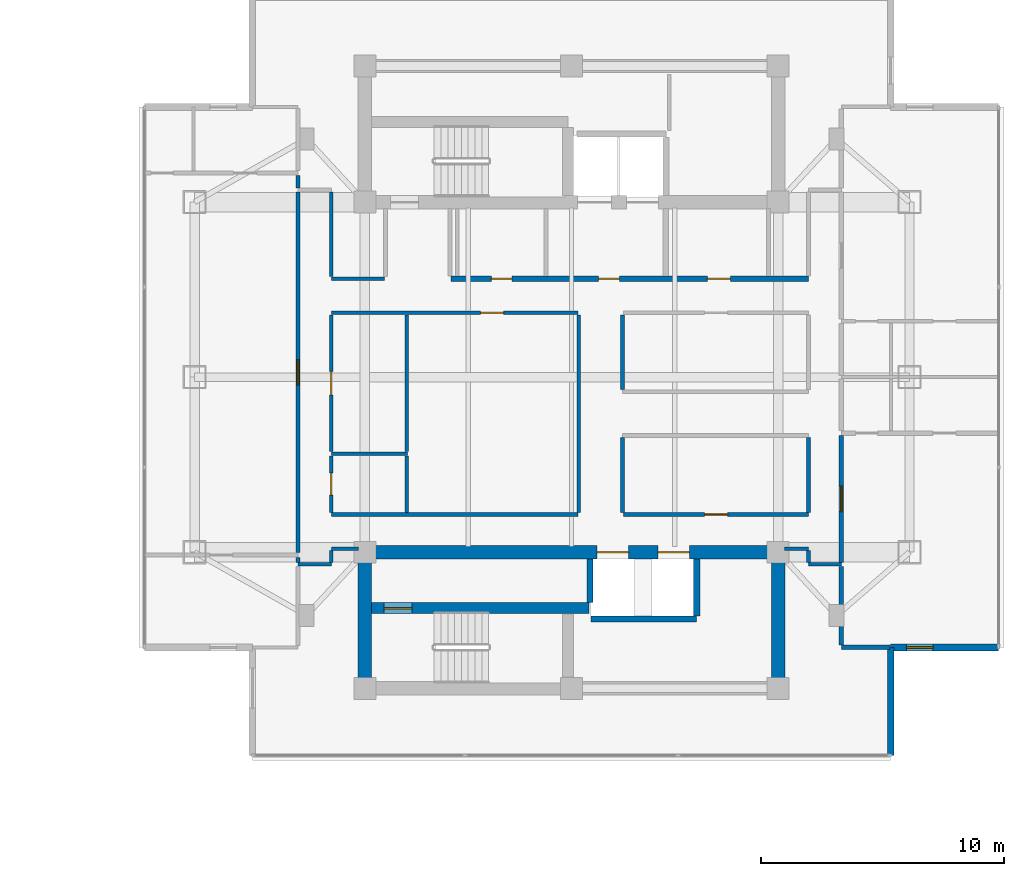
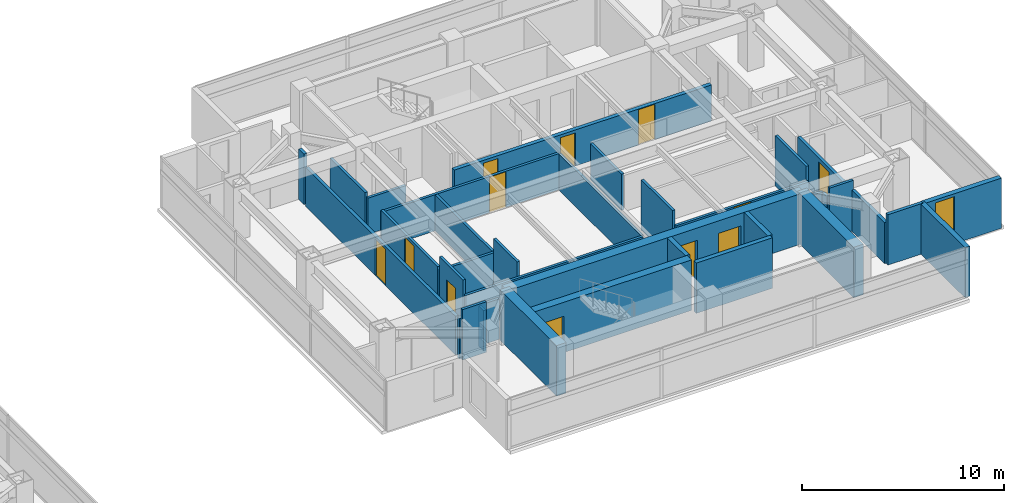
# One storey, part 16 of 24: 36 walls, 12 doors, 1 window, 13 openings.
"""IFC4 building model written with IfcOpenShell, lengths in metres."""

from ifc_helpers import new_model, si_unit, direction, frame, frame_2d, origin, place, context, subcontext, project, spatial, rectangle, extrude, material, layer, layer_set, type_object, element, fill, save


model = new_model("IFC4")

# Units and contexts
model_context = context("Model", 3, precision=1e-05, world=origin(), true_north=direction((0.0, 1.0)))
body_context = subcontext(model_context, "Body", "Model", "MODEL_VIEW")
ifc_project = project(units=[si_unit("LENGTHUNIT", "METRE"), si_unit("AREAUNIT", "SQUARE_METRE"), si_unit("VOLUMEUNIT", "CUBIC_METRE"), si_unit("PLANEANGLEUNIT", "RADIAN"), si_unit("MASSUNIT", "GRAM", prefix="KILO")], contexts=[model_context])

# Site, building, storey
site_placement = place(None, origin())
site = spatial("IfcSite", under=ifc_project, at=site_placement, CompositionType="ELEMENT")
building_placement = place(site_placement, origin())
building = spatial("IfcBuilding", under=site, at=building_placement, Name="Mirazonda Arch Towers", CompositionType="ELEMENT")
storey_placement = place(building_placement, frame((0.0, 0.0, 199.89990234375)))
storey = spatial("IfcBuildingStorey", under=building, at=storey_placement, Name="L57", CompositionType="ELEMENT", Elevation=199.89990234375)

# Wall, opening, door
ifc_material_1 = material(Name="Concrete C50/60", Category="concrete")
ifc_layer_1 = layer(ifc_material_1, 0.449951171875, Name="WALL-CORE-450")
ifc_layer_set_1 = layer_set([ifc_layer_1], Name="Concrete C50/60")
wall_type_1 = type_object("IfcWallType", Name="WALL-CORE-450", PredefinedType="SHEAR", material=ifc_layer_set_1)
wall_1_placement = place(storey_placement, frame((68.27001953125, 18.5, 0.0), z_axis=(0.0, 0.0, 1.0), x_axis=(1.0, 0.0, 0.0)))
wall_1 = element("IfcWall", 1, at=wall_1_placement, inside=storey, type_object=wall_type_1, Name="L57 Stair Core Shear Wall 013", PredefinedType="SHEAR", context=body_context, shape_type="SweptSolid", body=[
    extrude(rectangle(XDim=8.949951171875, YDim=0.449951171875, at=frame_2d((4.47509765625, 0.0))), origin(), (0.0, 0.0, 1.0), 3.050048828125),
])
opening_1_placement = place(wall_1_placement, frame((0.52001953125, 0.0, 0.0)))
opening_1 = element("IfcOpeningElement", 2, at=opening_1_placement, cuts=wall_1, Name="Opening DR-135", PredefinedType="OPENING", context=body_context, shape_type="SweptSolid", body=[
    extrude(rectangle(XDim=1.14990234375, YDim=2.199951171875, at=frame_2d((0.574951171875, 1.10009765625))), frame((0.0, 0.23486328125, 0.0), z_axis=(0.0, -1.0, 0.0), x_axis=(1.0, 0.0, 0.0)), (0.0, 0.0, 1.0), 0.469970703125),
])
ifc_material_2 = material(Name="Architectural Brushed Steel S355", Category="steel")
door_type_1 = type_object("IfcDoorType", Name="DOOR-STAIR-FD90-1150", OperationType="NOTDEFINED", PredefinedType="DOOR", material=ifc_material_2)
door_1_placement = place(opening_1_placement, origin())
door_1 = element("IfcDoor", 3, at=door_1_placement, inside=storey, type_object=door_type_1, Name="L57 East Protected Stair South Door", OperationType="SINGLE_SWING_LEFT", OverallHeight=2.199951171875, OverallWidth=1.14990234375, PredefinedType="DOOR", context=body_context, shape_type="SweptSolid", body=[
    extrude(rectangle(XDim=1.14990234375, YDim=2.199951171875, at=frame_2d((0.574951171875, 1.10009765625))), frame((0.0, 0.02490234375, 0.0), z_axis=(0.0, -1.0, 0.0), x_axis=(1.0, 0.0, 0.0)), (0.0, 0.0, 1.0), 0.050048828125),
])
fill(opening_1, door_1)

# Walls
ifc_layer_2 = layer(ifc_material_1, 0.550048828125, Name="WALL-CORE-550")
ifc_layer_set_2 = layer_set([ifc_layer_2], Name="Concrete C50/60")
wall_type_2 = type_object("IfcWallType", Name="WALL-CORE-550", PredefinedType="SHEAR", material=ifc_layer_set_2)
for number, where, z_axis, x_axis, name in (
    (4, (68.0, 15.199951171875, 0.0), (0.0, 0.0, 1.0), (0.0, 1.0, 0.0), "L57 T2S-W Core Shear Wall"),
    (5, (85.0, 15.199951171875, 0.0), (0.0, 0.0, 1.0), (0.0, 1.0, 0.0), "L57 T2S-E Core Shear Wall"),
):
    element("IfcWall", number, at=place(storey_placement, frame(where, z_axis=z_axis, x_axis=x_axis)), inside=storey, type_object=wall_type_2, Name=name, PredefinedType="SHEAR", context=body_context, shape_type="SweptSolid", body=[
        extrude(rectangle(XDim=5.60009765625, YDim=0.550048828125, at=frame_2d((2.800048828125, 0.0))), origin(), (0.0, 0.0, 1.0), 3.050048828125),
    ])

# Wall, openings, doors
wall_2_placement = place(storey_placement, frame((68.0, 20.800048828125, 0.0), z_axis=(0.0, 0.0, 1.0), x_axis=(1.0, 0.0, 0.0)))
wall_2 = element("IfcWall", 6, at=wall_2_placement, inside=storey, type_object=wall_type_2, Name="L57 T2S-N Core Shear Wall", PredefinedType="SHEAR", context=body_context, shape_type="SweptSolid", body=[
    extrude(rectangle(XDim=17.0, YDim=0.550048828125, at=frame_2d((8.5, 0.0))), origin(), (0.0, 0.0, 1.0), 3.050048828125),
])
opening_2_placement = place(wall_2_placement, frame((9.550048828125, 0.0, 0.0)))
opening_2 = element("IfcOpeningElement", 7, at=opening_2_placement, cuts=wall_2, Name="Opening LD-111", PredefinedType="OPENING", context=body_context, shape_type="SweptSolid", body=[
    extrude(rectangle(XDim=1.300048828125, YDim=2.300048828125, at=frame_2d((0.64990234375, 1.14990234375))), frame((0.0, 0.284912109375, 0.0), z_axis=(0.0, -1.0, 0.0), x_axis=(1.0, 0.0, 0.0)), (0.0, 0.0, 1.0), 0.570068359375),
])
opening_3_placement = place(wall_2_placement, frame((12.050048828125, 0.0, 0.0)))
opening_3 = element("IfcOpeningElement", 8, at=opening_3_placement, cuts=wall_2, Name="Opening LD-111", PredefinedType="OPENING", context=body_context, shape_type="SweptSolid", body=[
    extrude(rectangle(XDim=1.300048828125, YDim=2.300048828125, at=frame_2d((0.64990234375, 1.14990234375))), frame((0.0, 0.284912109375, 0.0), z_axis=(0.0, -1.0, 0.0), x_axis=(1.0, 0.0, 0.0)), (0.0, 0.0, 1.0), 0.570068359375),
])
door_type_2 = type_object("IfcDoorType", Name="DOOR-LIFT-LAND-1300", OperationType="NOTDEFINED", PredefinedType="DOOR", material=ifc_material_2)
door_2_placement = place(opening_2_placement, origin())
door_2 = element("IfcDoor", 9, at=door_2_placement, inside=storey, type_object=door_type_2, Name="L57 Lift Landing Sliding Door PL-T2H1", OperationType="DOUBLE_DOOR_SLIDING", OverallHeight=2.300048828125, OverallWidth=1.300048828125, PredefinedType="DOOR", context=body_context, shape_type="SweptSolid", body=[
    extrude(rectangle(XDim=1.300048828125, YDim=2.300048828125, at=frame_2d((0.64990234375, 1.14990234375))), frame((0.0, 0.02490234375, 0.0), z_axis=(0.0, -1.0, 0.0), x_axis=(1.0, 0.0, 0.0)), (0.0, 0.0, 1.0), 0.050048828125),
])
fill(opening_2, door_2)
door_3_placement = place(opening_3_placement, origin())
door_3 = element("IfcDoor", 10, at=door_3_placement, inside=storey, type_object=door_type_2, Name="L57 Lift Landing Sliding Door PL-T2H2", OperationType="DOUBLE_DOOR_SLIDING", OverallHeight=2.300048828125, OverallWidth=1.300048828125, PredefinedType="DOOR", context=body_context, shape_type="SweptSolid", body=[
    extrude(rectangle(XDim=1.300048828125, YDim=2.300048828125, at=frame_2d((0.64990234375, 1.14990234375))), frame((0.0, 0.02490234375, 0.0), z_axis=(0.0, -1.0, 0.0), x_axis=(1.0, 0.0, 0.0)), (0.0, 0.0, 1.0), 0.050048828125),
])
fill(opening_3, door_3)

# Wall, opening, window
ifc_material_3 = material(Name="Precast Concrete C40/50", Category="concrete")
ifc_layer_3 = layer(ifc_material_3, 0.280029296875, Name="WALL-EXT-WALL-280")
ifc_layer_set_3 = layer_set([ifc_layer_3], Name="Precast Concrete C40/50")
wall_type_3 = type_object("IfcWallType", Name="WALL-EXT-WALL-280", PredefinedType="SOLIDWALL", material=ifc_layer_set_3)
wall_3_placement = place(storey_placement, frame((89.627685546875, 16.884765625, 0.0), z_axis=(0.0, 0.0, 1.0), x_axis=(1.0, 0.0, 0.0)))
wall_3 = element("IfcWall", 11, at=wall_3_placement, inside=storey, type_object=wall_type_3, Name="L57 T2 Corner Notch Return Wall WL-L57-T2-CSE1", PredefinedType="SOLIDWALL", context=body_context, shape_type="SweptSolid", body=[
    extrude(rectangle(XDim=4.439697265625, YDim=0.280029296875, at=frame_2d((2.2197265625, 0.0))), origin(), (0.0, 0.0, 1.0), 3.030029296875),
])
opening_4_placement = place(wall_3_placement, frame((0.64990234375, 0.0, 0.85009765625)))
opening_4 = element("IfcOpeningElement", 12, at=opening_4_placement, cuts=wall_3, Name="Opening WN-108", PredefinedType="OPENING", context=body_context, shape_type="SweptSolid", body=[
    extrude(rectangle(XDim=1.10009765625, YDim=2.0, at=frame_2d((0.550048828125, 1.0))), frame((0.0, 0.14990234375, 0.0), z_axis=(0.0, -1.0, 0.0), x_axis=(1.0, 0.0, 0.0)), (0.0, 0.0, 1.0), 0.300048828125),
])
ifc_material_4 = material(Name="Insulated Low-E Solar Glass", Category="glass")
window_type = type_object("IfcWindowType", Name="WIN-NOTCH-1100x2000", PartitioningType="SINGLE_PANEL", PredefinedType="WINDOW", material=ifc_material_4)
window_placement = place(opening_4_placement, origin())
window = element("IfcWindow", 13, at=window_placement, inside=storey, type_object=window_type, Name="L57 Punched Facade Window WN-L57-T2-CSE1", OverallHeight=2.0, OverallWidth=1.10009765625, PartitioningType="SINGLE_PANEL", PredefinedType="WINDOW", context=body_context, shape_type="SweptSolid", body=[
    extrude(rectangle(XDim=1.10009765625, YDim=2.0, at=frame_2d((0.550048828125, 1.0))), frame((0.0, 0.030029296875, 0.0), z_axis=(0.0, -1.0, 0.0), x_axis=(1.0, 0.0, 0.0)), (0.0, 0.0, 1.0), 0.06005859375),
])
fill(opening_4, window)

# Wall
wall_4_placement = place(storey_placement, frame((89.627685546875, 12.445068359375, 0.0), z_axis=(0.0, 0.0, 1.0), x_axis=(0.0, 1.0, 0.0)))
element("IfcWall", 14, at=wall_4_placement, inside=storey, type_object=wall_type_3, Name="L57 T2 Corner Notch Return Wall WL-L57-T2-CSE2", PredefinedType="SOLIDWALL", context=body_context, shape_type="SweptSolid", body=[
    extrude(rectangle(XDim=4.439697265625, YDim=0.280029296875, at=frame_2d((2.2197265625, 0.0))), origin(), (0.0, 0.0, 1.0), 3.030029296875),
])

# Wall, openings, doors
ifc_material_5 = material(Name="Concrete C40/50", Category="concrete")
ifc_layer_4 = layer(ifc_material_5, 0.219970703125, Name="WALL-FFL-220")
ifc_layer_set_4 = layer_set([ifc_layer_4], Name="Concrete C40/50")
wall_type_4 = type_object("IfcWallType", Name="WALL-FFL-220", PredefinedType="SOLIDWALL", material=ifc_layer_set_4)
wall_5_placement = place(storey_placement, frame((71.550048828125, 32.050048828125, 0.0), z_axis=(0.0, 0.0, 1.0), x_axis=(1.0, 0.0, 0.0)))
wall_5 = element("IfcWall", 15, at=wall_5_placement, inside=storey, type_object=wall_type_4, Name="L57 Interior Partition 038", PredefinedType="SOLIDWALL", context=body_context, shape_type="SweptSolid", body=[
    extrude(rectangle(XDim=14.699951171875, YDim=0.219970703125, at=frame_2d((7.35009765625, 0.0))), origin(), (0.0, 0.0, 1.0), 2.18603515625),
])
opening_5_placement = place(wall_5_placement, frame((6.06494140625, 0.0, 0.0)))
opening_5 = element("IfcOpeningElement", 16, at=opening_5_placement, cuts=wall_5, Name="Opening DR-128", PredefinedType="OPENING", context=body_context, shape_type="SweptSolid", body=[
    extrude(rectangle(XDim=0.85009765625, YDim=2.010009765625, at=frame_2d((0.425048828125, 1.0048828125))), frame((0.0, 0.119873046875, 0.0), z_axis=(0.0, -1.0, 0.0), x_axis=(1.0, 0.0, 0.0)), (0.0, 0.0, 1.0), 0.239990234375),
])
opening_6_placement = place(wall_5_placement, frame((10.534912109375, 0.0, 0.0)))
opening_6 = element("IfcOpeningElement", 17, at=opening_6_placement, cuts=wall_5, Name="Opening DR-104", PredefinedType="OPENING", context=body_context, shape_type="SweptSolid", body=[
    extrude(rectangle(XDim=0.949951171875, YDim=2.14990234375, at=frame_2d((0.47509765625, 1.074951171875))), frame((0.0, 0.119873046875, 0.0), z_axis=(0.0, -1.0, 0.0), x_axis=(1.0, 0.0, 0.0)), (0.0, 0.0, 1.0), 0.239990234375),
])
opening_7_placement = place(wall_5_placement, frame((1.64990234375, 0.0, 0.0)))
opening_7 = element("IfcOpeningElement", 18, at=opening_7_placement, cuts=wall_5, Name="Opening DR-128", PredefinedType="OPENING", context=body_context, shape_type="SweptSolid", body=[
    extrude(rectangle(XDim=0.85009765625, YDim=2.010009765625, at=frame_2d((0.425048828125, 1.0048828125))), frame((0.0, 0.119873046875, 0.0), z_axis=(0.0, -1.0, 0.0), x_axis=(1.0, 0.0, 0.0)), (0.0, 0.0, 1.0), 0.239990234375),
])
door_type_3 = type_object("IfcDoorType", Name="DOOR-RISER-FD60-850", OperationType="NOTDEFINED", PredefinedType="DOOR", material=ifc_material_2)
door_4_placement = place(opening_5_placement, origin())
door_4 = element("IfcDoor", 19, at=door_4_placement, inside=storey, type_object=door_type_3, Name="L57 East Firefighting Lift Lobby Door", OperationType="SINGLE_SWING_RIGHT", OverallHeight=2.010009765625, OverallWidth=0.85009765625, PredefinedType="DOOR", context=body_context, shape_type="SweptSolid", body=[
    extrude(rectangle(XDim=0.85009765625, YDim=2.010009765625, at=frame_2d((0.425048828125, 1.0048828125))), frame((0.0, 0.02490234375, 0.0), z_axis=(0.0, -1.0, 0.0), x_axis=(1.0, 0.0, 0.0)), (0.0, 0.0, 1.0), 0.050048828125),
])
fill(opening_5, door_4)
door_5_placement = place(opening_7_placement, origin())
door_5 = element("IfcDoor", 20, at=door_5_placement, inside=storey, type_object=door_type_3, Name="L57 Tower 2 Housekeeping & Linen Room Door", OperationType="SINGLE_SWING_RIGHT", OverallHeight=2.010009765625, OverallWidth=0.85009765625, PredefinedType="DOOR", context=body_context, shape_type="SweptSolid", body=[
    extrude(rectangle(XDim=0.85009765625, YDim=2.010009765625, at=frame_2d((0.425048828125, 1.0048828125))), frame((0.0, 0.02490234375, 0.0), z_axis=(0.0, -1.0, 0.0), x_axis=(1.0, 0.0, 0.0)), (0.0, 0.0, 1.0), 0.050048828125),
])
fill(opening_7, door_5)
door_type_4 = type_object("IfcDoorType", Name="DOOR-ROOM-950", OperationType="NOTDEFINED", PredefinedType="DOOR", material=ifc_material_2)
door_6_placement = place(opening_6_placement, origin())
door_6 = element("IfcDoor", 21, at=door_6_placement, inside=storey, type_object=door_type_4, Name="L57 East Sky Reading Library Door", OperationType="SINGLE_SWING_LEFT", OverallHeight=2.14990234375, OverallWidth=0.949951171875, PredefinedType="DOOR", context=body_context, shape_type="SweptSolid", body=[
    extrude(rectangle(XDim=0.949951171875, YDim=2.14990234375, at=frame_2d((0.47509765625, 1.074951171875))), frame((0.0, 0.02490234375, 0.0), z_axis=(0.0, -1.0, 0.0), x_axis=(1.0, 0.0, 0.0)), (0.0, 0.0, 1.0), 0.050048828125),
])
fill(opening_6, door_6)

# Walls
ifc_material_6 = material(Name="Fire-Rated Gypsum Stud Partition")
ifc_layer_5 = layer(ifc_material_6, 0.14990234375, Name="WALL-PART-CORR-150")
ifc_layer_set_5 = layer_set([ifc_layer_5], Name="Fire-Rated Gypsum Stud Partition")
wall_type_5 = type_object("IfcWallType", Name="WALL-PART-CORR-150", PredefinedType="PARTITIONING", material=ifc_layer_set_5)
wall_6_placement = place(storey_placement, frame((65.25, 20.300048828125, 0.0), z_axis=(0.0, 0.0, 1.0), x_axis=(1.0, 0.0, 0.0)))
element("IfcWall", 22, at=wall_6_placement, inside=storey, type_object=wall_type_5, Name="L57 Interior Partition 015", PredefinedType="PARTITIONING", context=body_context, shape_type="SweptSolid", body=[
    extrude(rectangle(XDim=1.3701171875, YDim=0.14990234375, at=frame_2d((0.68505859375, 0.0))), origin(), (0.0, 0.0, 1.0), 3.050048828125),
])
wall_7_placement = place(storey_placement, frame((86.25, 20.300048828125, 0.0), z_axis=(0.0, 0.0, 1.0), x_axis=(1.0, 0.0, 0.0)))
element("IfcWall", 23, at=wall_7_placement, inside=storey, type_object=wall_type_5, Name="L57 Interior Partition 016", PredefinedType="PARTITIONING", context=body_context, shape_type="SweptSolid", body=[
    extrude(rectangle(XDim=1.35009765625, YDim=0.14990234375, at=frame_2d((0.675048828125, 0.0))), origin(), (0.0, 0.0, 1.0), 3.050048828125),
])
wall_8_placement = place(storey_placement, frame((66.6201171875, 20.949951171875, 0.0), z_axis=(0.0, 0.0, 1.0), x_axis=(1.0, 0.0, 0.0)))
element("IfcWall", 24, at=wall_8_placement, inside=storey, type_object=wall_type_5, Name="L57 Interior Partition 018", PredefinedType="PARTITIONING", context=body_context, shape_type="SweptSolid", body=[
    extrude(rectangle(XDim=1.10986328125, YDim=0.14990234375, at=frame_2d((0.554931640625, 0.0))), origin(), (0.0, 0.0, 1.0), 2.442138671875),
])
wall_9_placement = place(storey_placement, frame((85.27001953125, 20.949951171875, 0.0), z_axis=(0.0, 0.0, 1.0), x_axis=(1.0, 0.0, 0.0)))
element("IfcWall", 25, at=wall_9_placement, inside=storey, type_object=wall_type_5, Name="L57 Interior Partition 019", PredefinedType="PARTITIONING", context=body_context, shape_type="SweptSolid", body=[
    extrude(rectangle(XDim=0.97998046875, YDim=0.14990234375, at=frame_2d((0.489990234375, 0.0))), origin(), (0.0, 0.0, 1.0), 2.442138671875),
])
wall_10_placement = place(storey_placement, frame((66.6201171875, 22.35009765625, 0.0), z_axis=(0.0, 0.0, 1.0), x_axis=(1.0, 0.0, 0.0)))
element("IfcWall", 26, at=wall_10_placement, inside=storey, type_object=wall_type_5, Name="L57 Interior Partition 020", PredefinedType="PARTITIONING", context=body_context, shape_type="SweptSolid", body=[
    extrude(rectangle(XDim=10.139892578125, YDim=0.14990234375, at=frame_2d((5.06982421875, 0.0))), origin(), (0.0, 0.0, 1.0), 2.18603515625),
])

# Wall, opening, door
wall_11_placement = place(storey_placement, frame((78.639892578125, 22.35009765625, 0.0), z_axis=(0.0, 0.0, 1.0), x_axis=(1.0, 0.0, 0.0)))
wall_11 = element("IfcWall", 27, at=wall_11_placement, inside=storey, type_object=wall_type_5, Name="L57 Interior Partition 021", PredefinedType="PARTITIONING", context=body_context, shape_type="SweptSolid", body=[
    extrude(rectangle(XDim=7.610107421875, YDim=0.14990234375, at=frame_2d((3.80517578125, 0.0))), origin(), (0.0, 0.0, 1.0), 2.18603515625),
])
opening_8_placement = place(wall_11_placement, frame((3.330078125, 0.0, 0.0)))
opening_8 = element("IfcOpeningElement", 28, at=opening_8_placement, cuts=wall_11, Name="Opening DR-104", PredefinedType="OPENING", context=body_context, shape_type="SweptSolid", body=[
    extrude(rectangle(XDim=0.949951171875, YDim=2.14990234375, at=frame_2d((0.47509765625, 1.074951171875))), frame((0.0, 0.0849609375, 0.0), z_axis=(0.0, -1.0, 0.0), x_axis=(1.0, 0.0, 0.0)), (0.0, 0.0, 1.0), 0.169921875),
])
door_7_placement = place(opening_8_placement, origin())
door_7 = element("IfcDoor", 29, at=door_7_placement, inside=storey, type_object=door_type_4, Name="L57 L57 Tower 2 South-East Salon Door", OperationType="SINGLE_SWING_LEFT", OverallHeight=2.14990234375, OverallWidth=0.949951171875, PredefinedType="DOOR", context=body_context, shape_type="SweptSolid", body=[
    extrude(rectangle(XDim=0.949951171875, YDim=2.14990234375, at=frame_2d((0.47509765625, 1.074951171875))), frame((0.0, 0.02490234375, 0.0), z_axis=(0.0, -1.0, 0.0), x_axis=(1.0, 0.0, 0.0)), (0.0, 0.0, 1.0), 0.050048828125),
])
fill(opening_8, door_7)

# Wall
wall_12_placement = place(storey_placement, frame((66.6201171875, 24.85009765625, 0.0), z_axis=(0.0, 0.0, 1.0), x_axis=(1.0, 0.0, 0.0)))
element("IfcWall", 30, at=wall_12_placement, inside=storey, type_object=wall_type_5, Name="L57 Interior Partition 023", PredefinedType="PARTITIONING", context=body_context, shape_type="SweptSolid", body=[
    extrude(rectangle(XDim=3.1298828125, YDim=0.14990234375, at=frame_2d((1.56494140625, 0.0))), origin(), (0.0, 0.0, 1.0), 2.18603515625),
])

# Wall, opening, door
wall_13_placement = place(storey_placement, frame((66.6201171875, 30.64990234375, 0.0), z_axis=(0.0, 0.0, 1.0), x_axis=(1.0, 0.0, 0.0)))
wall_13 = element("IfcWall", 31, at=wall_13_placement, inside=storey, type_object=wall_type_5, Name="L57 Interior Partition 033", PredefinedType="PARTITIONING", context=body_context, shape_type="SweptSolid", body=[
    extrude(rectangle(XDim=10.139892578125, YDim=0.14990234375, at=frame_2d((5.06982421875, 0.0))), origin(), (0.0, 0.0, 1.0), 2.18603515625),
])
opening_9_placement = place(wall_13_placement, frame((6.139892578125, 0.0, 0.0)))
opening_9 = element("IfcOpeningElement", 32, at=opening_9_placement, cuts=wall_13, Name="Opening DR-104", PredefinedType="OPENING", context=body_context, shape_type="SweptSolid", body=[
    extrude(rectangle(XDim=0.949951171875, YDim=2.14990234375, at=frame_2d((0.47509765625, 1.074951171875))), frame((0.0, 0.0849609375, 0.0), z_axis=(0.0, -1.0, 0.0), x_axis=(1.0, 0.0, 0.0)), (0.0, 0.0, 1.0), 0.169921875),
])
door_8_placement = place(opening_9_placement, origin())
door_8 = element("IfcDoor", 33, at=door_8_placement, inside=storey, type_object=door_type_4, Name="L57 L57 East Courtyard Study Door", OperationType="SINGLE_SWING_RIGHT", OverallHeight=2.14990234375, OverallWidth=0.949951171875, PredefinedType="DOOR", context=body_context, shape_type="SweptSolid", body=[
    extrude(rectangle(XDim=0.949951171875, YDim=2.14990234375, at=frame_2d((0.47509765625, 1.074951171875))), frame((0.0, 0.02490234375, 0.0), z_axis=(0.0, -1.0, 0.0), x_axis=(1.0, 0.0, 0.0)), (0.0, 0.0, 1.0), 0.050048828125),
])
fill(opening_9, door_8)

# Walls
wall_14_placement = place(storey_placement, frame((66.6201171875, 32.050048828125, 0.0), z_axis=(0.0, 0.0, 1.0), x_axis=(1.0, 0.0, 0.0)))
element("IfcWall", 34, at=wall_14_placement, inside=storey, type_object=wall_type_5, Name="L57 Interior Partition 037", PredefinedType="PARTITIONING", context=body_context, shape_type="SweptSolid", body=[
    extrude(rectangle(XDim=2.179931640625, YDim=0.14990234375, at=frame_2d((1.08984375, 0.0))), origin(), (0.0, 0.0, 1.0), 2.18603515625),
])
wall_15_placement = place(storey_placement, frame((66.6201171875, 20.385009765625, 0.0), z_axis=(0.0, 0.0, 1.0), x_axis=(0.0, 1.0, 0.0)))
element("IfcWall", 35, at=wall_15_placement, inside=storey, type_object=wall_type_5, Name="L57 Interior Partition 113", PredefinedType="PARTITIONING", context=body_context, shape_type="SweptSolid", body=[
    extrude(rectangle(XDim=0.47998046875, YDim=0.14990234375, at=frame_2d((0.239990234375, 0.0))), origin(), (0.0, 0.0, 1.0), 2.442138671875),
])

# Wall, opening, door
wall_16_placement = place(storey_placement, frame((66.6201171875, 22.43505859375, 0.0), z_axis=(0.0, 0.0, 1.0), x_axis=(0.0, 1.0, 0.0)))
wall_16 = element("IfcWall", 36, at=wall_16_placement, inside=storey, type_object=wall_type_5, Name="L57 Interior Partition 114", PredefinedType="PARTITIONING", context=body_context, shape_type="SweptSolid", body=[
    extrude(rectangle(XDim=2.329833984375, YDim=0.14990234375, at=frame_2d((1.1650390625, 0.0))), origin(), (0.0, 0.0, 1.0), 3.050048828125),
])
opening_10_placement = place(wall_16_placement, frame((0.715087890625, 0.0, 0.0)))
opening_10 = element("IfcOpeningElement", 37, at=opening_10_placement, cuts=wall_16, Name="Opening DR-120", PredefinedType="OPENING", context=body_context, shape_type="SweptSolid", body=[
    extrude(rectangle(XDim=0.89990234375, YDim=2.10009765625, at=frame_2d((0.449951171875, 1.050048828125))), frame((0.0, 0.0849609375, 0.0), z_axis=(0.0, -1.0, 0.0), x_axis=(1.0, 0.0, 0.0)), (0.0, 0.0, 1.0), 0.169921875),
])
door_type_5 = type_object("IfcDoorType", Name="DOOR-WC-900", OperationType="NOTDEFINED", PredefinedType="DOOR", material=ifc_material_2)
door_9_placement = place(opening_10_placement, origin())
door_9 = element("IfcDoor", 38, at=door_9_placement, inside=storey, type_object=door_type_5, Name="L57 Tower 2 Common Accessible WC Door", OperationType="SINGLE_SWING_RIGHT", OverallHeight=2.10009765625, OverallWidth=0.89990234375, PredefinedType="DOOR", context=body_context, shape_type="SweptSolid", body=[
    extrude(rectangle(XDim=0.89990234375, YDim=2.10009765625, at=frame_2d((0.449951171875, 1.050048828125))), frame((0.0, 0.02490234375, 0.0), z_axis=(0.0, -1.0, 0.0), x_axis=(1.0, 0.0, 0.0)), (0.0, 0.0, 1.0), 0.050048828125),
])
fill(opening_10, door_9)

wall_17_placement = place(storey_placement, frame((66.6201171875, 24.93505859375, 0.0), z_axis=(0.0, 0.0, 1.0), x_axis=(0.0, 1.0, 0.0)))
wall_17 = element("IfcWall", 39, at=wall_17_placement, inside=storey, type_object=wall_type_5, Name="L57 Interior Partition 115", PredefinedType="PARTITIONING", context=body_context, shape_type="SweptSolid", body=[
    extrude(rectangle(XDim=5.6298828125, YDim=0.14990234375, at=frame_2d((2.81494140625, 0.0))), origin(), (0.0, 0.0, 1.0), 2.34619140625),
])
opening_11_placement = place(wall_17_placement, frame((2.340087890625, 0.0, 0.0)))
opening_11 = element("IfcOpeningElement", 40, at=opening_11_placement, cuts=wall_17, Name="Opening DR-104", PredefinedType="OPENING", context=body_context, shape_type="SweptSolid", body=[
    extrude(rectangle(XDim=0.949951171875, YDim=2.14990234375, at=frame_2d((0.47509765625, 1.074951171875))), frame((0.0, 0.0849609375, 0.0), z_axis=(0.0, -1.0, 0.0), x_axis=(1.0, 0.0, 0.0)), (0.0, 0.0, 1.0), 0.169921875),
])
door_10_placement = place(opening_11_placement, origin())
door_10 = element("IfcDoor", 41, at=door_10_placement, inside=storey, type_object=door_type_4, Name="L57 L57 East Courtyard Reading Study Door", OperationType="SINGLE_SWING_LEFT", OverallHeight=2.14990234375, OverallWidth=0.949951171875, PredefinedType="DOOR", context=body_context, shape_type="SweptSolid", body=[
    extrude(rectangle(XDim=0.949951171875, YDim=2.14990234375, at=frame_2d((0.47509765625, 1.074951171875))), frame((0.0, 0.02490234375, 0.0), z_axis=(0.0, -1.0, 0.0), x_axis=(1.0, 0.0, 0.0)), (0.0, 0.0, 1.0), 0.050048828125),
])
fill(opening_11, door_10)

# Walls
wall_18_placement = place(storey_placement, frame((66.6201171875, 32.135009765625, 0.0), z_axis=(0.0, 0.0, 1.0), x_axis=(0.0, 1.0, 0.0)))
element("IfcWall", 42, at=wall_18_placement, inside=storey, type_object=wall_type_5, Name="L57 Interior Partition 116", PredefinedType="PARTITIONING", context=body_context, shape_type="SweptSolid", body=[
    extrude(rectangle(XDim=3.47998046875, YDim=0.14990234375, at=frame_2d((1.739990234375, 0.0))), origin(), (0.0, 0.0, 1.0), 2.442138671875),
])
wall_19_placement = place(storey_placement, frame((69.723388671875, 22.43505859375, 0.0), z_axis=(0.0, 0.0, 1.0), x_axis=(0.0, 1.0, 0.0)))
element("IfcWall", 43, at=wall_19_placement, inside=storey, type_object=wall_type_5, Name="L57 Interior Partition 118", PredefinedType="PARTITIONING", context=body_context, shape_type="SweptSolid", body=[
    extrude(rectangle(XDim=2.329833984375, YDim=0.14990234375, at=frame_2d((1.1650390625, 0.0))), origin(), (0.0, 0.0, 1.0), 3.050048828125),
])
wall_20_placement = place(storey_placement, frame((69.723388671875, 24.93505859375, 0.0), z_axis=(0.0, 0.0, 1.0), x_axis=(0.0, 1.0, 0.0)))
element("IfcWall", 44, at=wall_20_placement, inside=storey, type_object=wall_type_5, Name="L57 Interior Partition 119", PredefinedType="PARTITIONING", context=body_context, shape_type="SweptSolid", body=[
    extrude(rectangle(XDim=5.6298828125, YDim=0.14990234375, at=frame_2d((2.81494140625, 0.0))), origin(), (0.0, 0.0, 1.0), 2.18603515625),
])
wall_21_placement = place(storey_placement, frame((76.800048828125, 22.43505859375, 0.0), z_axis=(0.0, 0.0, 1.0), x_axis=(0.0, 1.0, 0.0)))
element("IfcWall", 45, at=wall_21_placement, inside=storey, type_object=wall_type_5, Name="L57 Interior Partition 125", PredefinedType="PARTITIONING", context=body_context, shape_type="SweptSolid", body=[
    extrude(rectangle(XDim=8.1298828125, YDim=0.14990234375, at=frame_2d((4.06494140625, 0.0))), origin(), (0.0, 0.0, 1.0), 2.18603515625),
])
wall_22_placement = place(storey_placement, frame((78.60009765625, 22.43505859375, 0.0), z_axis=(0.0, 0.0, 1.0), x_axis=(0.0, 1.0, 0.0)))
element("IfcWall", 46, at=wall_22_placement, inside=storey, type_object=wall_type_5, Name="L57 Interior Partition 127", PredefinedType="PARTITIONING", context=body_context, shape_type="SweptSolid", body=[
    extrude(rectangle(XDim=3.079833984375, YDim=0.14990234375, at=frame_2d((1.5400390625, 0.0))), origin(), (0.0, 0.0, 1.0), 3.050048828125),
])
wall_23_placement = place(storey_placement, frame((78.60009765625, 27.485107421875, 0.0), z_axis=(0.0, 0.0, 1.0), x_axis=(0.0, 1.0, 0.0)))
element("IfcWall", 47, at=wall_23_placement, inside=storey, type_object=wall_type_5, Name="L57 Interior Partition 128", PredefinedType="PARTITIONING", context=body_context, shape_type="SweptSolid", body=[
    extrude(rectangle(XDim=3.079833984375, YDim=0.14990234375, at=frame_2d((1.5400390625, 0.0))), origin(), (0.0, 0.0, 1.0), 2.18603515625),
])
wall_24_placement = place(storey_placement, frame((86.25, 20.385009765625, 0.0), z_axis=(0.0, 0.0, 1.0), x_axis=(0.0, 1.0, 0.0)))
element("IfcWall", 48, at=wall_24_placement, inside=storey, type_object=wall_type_5, Name="L57 Interior Partition 134", PredefinedType="PARTITIONING", context=body_context, shape_type="SweptSolid", body=[
    extrude(rectangle(XDim=0.47998046875, YDim=0.14990234375, at=frame_2d((0.239990234375, 0.0))), origin(), (0.0, 0.0, 1.0), 2.442138671875),
])
wall_25_placement = place(storey_placement, frame((86.25, 22.43505859375, 0.0), z_axis=(0.0, 0.0, 1.0), x_axis=(0.0, 1.0, 0.0)))
element("IfcWall", 49, at=wall_25_placement, inside=storey, type_object=wall_type_5, Name="L57 Interior Partition 135", PredefinedType="PARTITIONING", context=body_context, shape_type="SweptSolid", body=[
    extrude(rectangle(XDim=3.079833984375, YDim=0.14990234375, at=frame_2d((1.5400390625, 0.0))), origin(), (0.0, 0.0, 1.0), 3.050048828125),
])
ifc_material_7 = material(Name="Fire-Rated Gypsum Twin-Stud Assembly")
ifc_layer_6 = layer(ifc_material_7, 0.179931640625, Name="WALL-PART-DEMISE-180")
ifc_layer_set_6 = layer_set([ifc_layer_6], Name="Fire-Rated Gypsum Twin-Stud Assembly")
wall_type_6 = type_object("IfcWallType", Name="WALL-PART-DEMISE-180", PredefinedType="PARTITIONING", material=ifc_layer_set_6)
wall_26_placement = place(storey_placement, frame((87.60009765625, 16.885009765625, 0.0), z_axis=(0.0, 0.0, 1.0), x_axis=(1.0, 0.0, 0.0)))
element("IfcWall", 50, at=wall_26_placement, inside=storey, type_object=wall_type_6, Name="L57 Interior Partition 009", PredefinedType="PARTITIONING", context=body_context, shape_type="SweptSolid", body=[
    extrude(rectangle(XDim=2.0078125, YDim=0.179931640625, at=frame_2d((1.00390625, 0.0))), origin(), (0.0, 0.0, 1.0), 3.050048828125),
])
wall_27_placement = place(storey_placement, frame((65.25, 20.385009765625, 0.0), z_axis=(0.0, 0.0, 1.0), x_axis=(0.0, 1.0, 0.0)))
element("IfcWall", 51, at=wall_27_placement, inside=storey, type_object=wall_type_6, Name="L57 Interior Partition 109", PredefinedType="PARTITIONING", context=body_context, shape_type="SweptSolid", body=[
    extrude(rectangle(XDim=0.199951171875, YDim=0.179931640625, at=frame_2d((0.10009765625, 0.0))), origin(), (0.0, 0.0, 1.0), 2.442138671875),
])

# Wall, opening, door
wall_28_placement = place(storey_placement, frame((65.25, 20.784912109375, 0.0), z_axis=(0.0, 0.0, 1.0), x_axis=(0.0, 1.0, 0.0)))
wall_28 = element("IfcWall", 52, at=wall_28_placement, inside=storey, type_object=wall_type_6, Name="L57 Interior Partition 110", PredefinedType="PARTITIONING", context=body_context, shape_type="SweptSolid", body=[
    extrude(rectangle(XDim=14.830078125, YDim=0.179931640625, at=frame_2d((7.4150390625, 0.0))), origin(), (0.0, 0.0, 1.0), 2.34619140625),
])
opening_12_placement = place(wall_28_placement, frame((6.889892578125, 0.0, 0.0)))
opening_12 = element("IfcOpeningElement", 53, at=opening_12_placement, cuts=wall_28, Name="Opening DR-121", PredefinedType="OPENING", context=body_context, shape_type="SweptSolid", body=[
    extrude(rectangle(XDim=1.050048828125, YDim=2.199951171875, at=frame_2d((0.52490234375, 1.10009765625))), frame((0.0, 0.099853515625, 0.0), z_axis=(0.0, -1.0, 0.0), x_axis=(1.0, 0.0, 0.0)), (0.0, 0.0, 1.0), 0.199951171875),
])
door_type_6 = type_object("IfcDoorType", Name="DOOR-SUITE-FD60-1050", OperationType="NOTDEFINED", PredefinedType="DOOR", material=ifc_material_2)
door_11_placement = place(opening_12_placement, origin())
door_11 = element("IfcDoor", 54, at=door_11_placement, inside=storey, type_object=door_type_6, Name="L57 Penthouse Residence 1 Living & Dining Salon Door", OperationType="SINGLE_SWING_LEFT", OverallHeight=2.199951171875, OverallWidth=1.050048828125, PredefinedType="DOOR", context=body_context, shape_type="SweptSolid", body=[
    extrude(rectangle(XDim=1.050048828125, YDim=2.199951171875, at=frame_2d((0.52490234375, 1.10009765625))), frame((0.0, 0.02490234375, 0.0), z_axis=(0.0, -1.0, 0.0), x_axis=(1.0, 0.0, 0.0)), (0.0, 0.0, 1.0), 0.050048828125),
])
fill(opening_12, door_11)

# Walls
wall_29_placement = place(storey_placement, frame((65.25, 35.784912109375, 0.0), z_axis=(0.0, 0.0, 1.0), x_axis=(0.0, 1.0, 0.0)))
element("IfcWall", 55, at=wall_29_placement, inside=storey, type_object=wall_type_6, Name="L57 Interior Partition 111", PredefinedType="PARTITIONING", context=body_context, shape_type="SweptSolid", body=[
    extrude(rectangle(XDim=0.510009765625, YDim=0.179931640625, at=frame_2d((0.2548828125, 0.0))), origin(), (0.0, 0.0, 1.0), 3.050048828125),
])
wall_30_placement = place(storey_placement, frame((87.60009765625, 16.985107421875, 0.0), z_axis=(0.0, 0.0, 1.0), x_axis=(0.0, 1.0, 0.0)))
element("IfcWall", 56, at=wall_30_placement, inside=storey, type_object=wall_type_6, Name="L57 Interior Partition 138", PredefinedType="PARTITIONING", context=body_context, shape_type="SweptSolid", body=[
    extrude(rectangle(XDim=3.22998046875, YDim=0.179931640625, at=frame_2d((1.614990234375, 0.0))), origin(), (0.0, 0.0, 1.0), 2.4931640625),
])

# Wall, opening, door
wall_31_placement = place(storey_placement, frame((87.60009765625, 20.385009765625, 0.0), z_axis=(0.0, 0.0, 1.0), x_axis=(0.0, 1.0, 0.0)))
wall_31 = element("IfcWall", 57, at=wall_31_placement, inside=storey, type_object=wall_type_6, Name="L57 Interior Partition 139", PredefinedType="PARTITIONING", context=body_context, shape_type="SweptSolid", body=[
    extrude(rectangle(XDim=5.215087890625, YDim=0.179931640625, at=frame_2d((2.607421875, 0.0))), origin(), (0.0, 0.0, 1.0), 2.442138671875),
])
opening_13_placement = place(wall_31_placement, frame((2.08251953125, 0.0, 0.0)))
opening_13 = element("IfcOpeningElement", 58, at=opening_13_placement, cuts=wall_31, Name="Opening DR-121", PredefinedType="OPENING", context=body_context, shape_type="SweptSolid", body=[
    extrude(rectangle(XDim=1.050048828125, YDim=2.199951171875, at=frame_2d((0.52490234375, 1.10009765625))), frame((0.0, 0.099853515625, 0.0), z_axis=(0.0, -1.0, 0.0), x_axis=(1.0, 0.0, 0.0)), (0.0, 0.0, 1.0), 0.199951171875),
])
door_12_placement = place(opening_13_placement, origin())
door_12 = element("IfcDoor", 59, at=door_12_placement, inside=storey, type_object=door_type_6, Name="L57 Studio Apartment 1 Living Salon Door", OperationType="SINGLE_SWING_LEFT", OverallHeight=2.199951171875, OverallWidth=1.050048828125, PredefinedType="DOOR", context=body_context, shape_type="SweptSolid", body=[
    extrude(rectangle(XDim=1.050048828125, YDim=2.199951171875, at=frame_2d((0.52490234375, 1.10009765625))), frame((0.0, 0.02490234375, 0.0), z_axis=(0.0, -1.0, 0.0), x_axis=(1.0, 0.0, 0.0)), (0.0, 0.0, 1.0), 0.050048828125),
])
fill(opening_13, door_12)

# Walls
ifc_layer_7 = layer(ifc_material_5, 0.25, Name="WALL-SHAFT-250")
ifc_layer_set_7 = layer_set([ifc_layer_7], Name="Concrete C40/50")
wall_type_7 = type_object("IfcWallType", Name="WALL-SHAFT-250", PredefinedType="SOLIDWALL", material=ifc_layer_set_7)
wall_32_placement = place(storey_placement, frame((77.300048828125, 18.050048828125, 0.0), z_axis=(0.0, 0.0, 1.0), x_axis=(1.0, 0.0, 0.0)))
element("IfcWall", 60, at=wall_32_placement, inside=storey, type_object=wall_type_7, Name="L57 Interior Partition 010", PredefinedType="SOLIDWALL", context=body_context, shape_type="SweptSolid", body=[
    extrude(rectangle(XDim=4.349853515625, YDim=0.25, at=frame_2d((2.1748046875, 0.0))), origin(), (0.0, 0.0, 1.0), 3.050048828125),
])
wall_33_placement = place(storey_placement, frame((77.260009765625, 18.735107421875, 0.0), z_axis=(0.0, 0.0, 1.0), x_axis=(0.0, 1.0, 0.0)))
element("IfcWall", 61, at=wall_33_placement, inside=storey, type_object=wall_type_7, Name="L57 Interior Partition 126", PredefinedType="SOLIDWALL", context=body_context, shape_type="SweptSolid", body=[
    extrude(rectangle(XDim=1.794921875, YDim=0.25, at=frame_2d((0.8974609375, 0.0))), origin(), (0.0, 0.0, 1.0), 3.050048828125),
])
wall_34_placement = place(storey_placement, frame((81.64990234375, 18.18505859375, 0.0), z_axis=(0.0, 0.0, 1.0), x_axis=(0.0, 1.0, 0.0)))
element("IfcWall", 62, at=wall_34_placement, inside=storey, type_object=wall_type_7, Name="L57 Interior Partition 132", PredefinedType="SOLIDWALL", context=body_context, shape_type="SweptSolid", body=[
    extrude(rectangle(XDim=2.344970703125, YDim=0.25, at=frame_2d((1.17236328125, 0.0))), origin(), (0.0, 0.0, 1.0), 3.050048828125),
])

save(model, "model.ifc")
